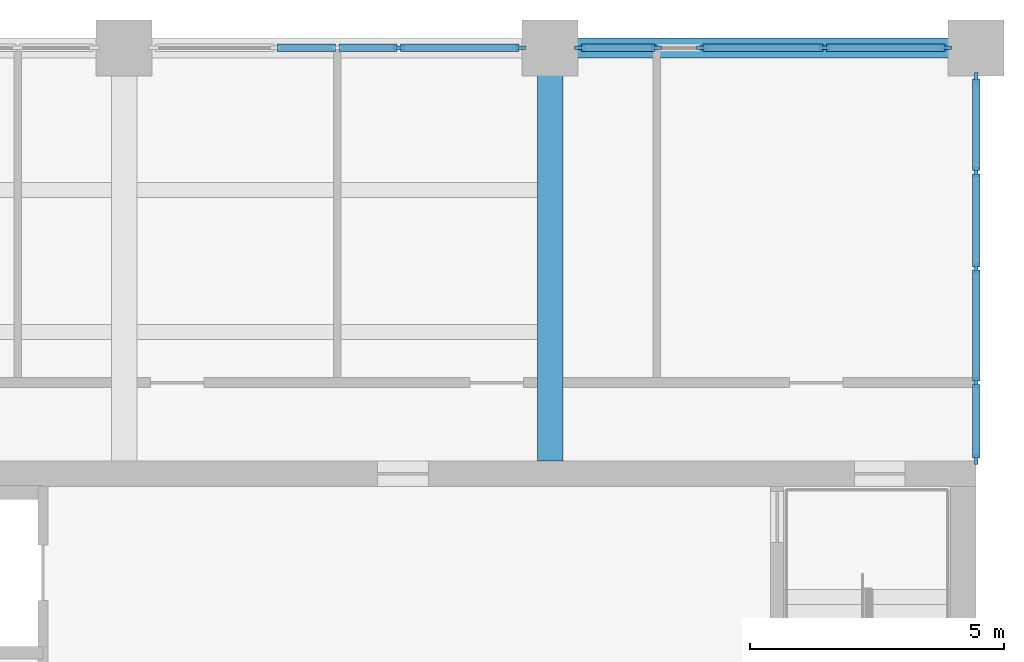
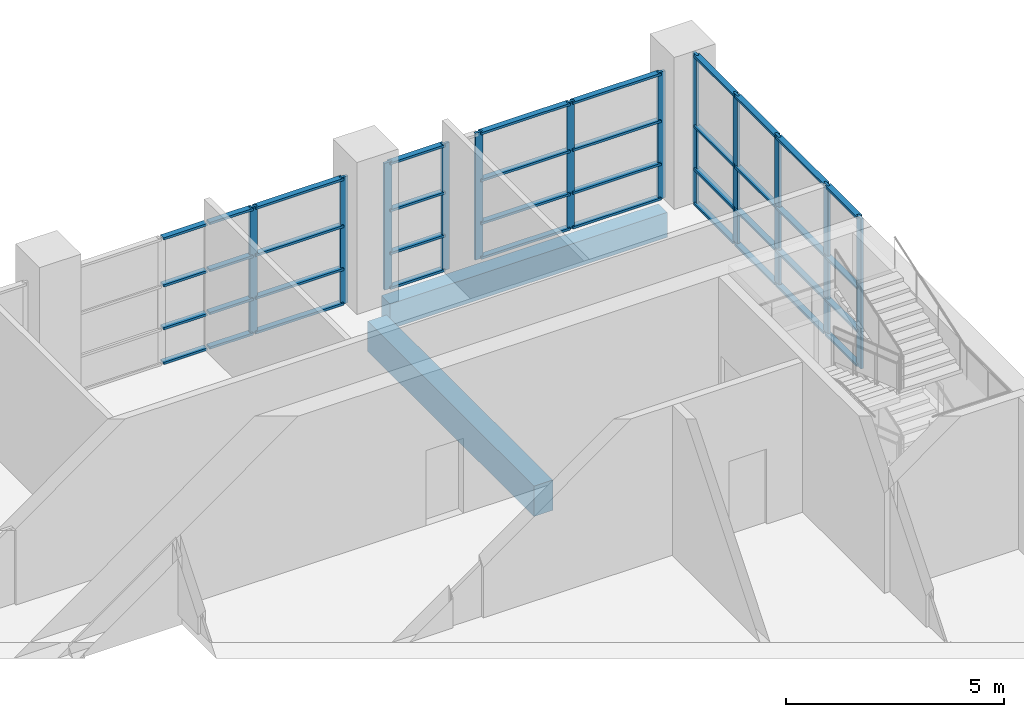
# One storey, part 12 of 64: 52 members, 2 beams, 3 elements without a shape of their own.
"""IFC4 building model written with IfcOpenShell, lengths in metres."""

from ifc_helpers import new_model, si_unit, direction, frame, origin, origin_2d, place, context, subcontext, project, spatial, rectangle, extrude, material, layer, layer_set, material_profile, profile_set, type_object, element, aggregate, save


model = new_model("IFC4")

# Units and contexts
model_context = context("Model", 3, precision=1e-05, world=origin(), true_north=direction((0.0, 1.0)))
body_context = subcontext(model_context, "Body", "Model", "MODEL_VIEW")
ifc_project = project(units=[si_unit("LENGTHUNIT", "METRE"), si_unit("AREAUNIT", "SQUARE_METRE"), si_unit("VOLUMEUNIT", "CUBIC_METRE"), si_unit("PLANEANGLEUNIT", "RADIAN"), si_unit("MASSUNIT", "GRAM", prefix="KILO")], contexts=[model_context])

# Site, building, storey
site_placement = place(None, origin())
site = spatial("IfcSite", under=ifc_project, at=site_placement, CompositionType="ELEMENT")
building_placement = place(site_placement, origin())
building = spatial("IfcBuilding", under=site, at=building_placement, Name="Rulbaag Community and Learning Centre", CompositionType="ELEMENT")
storey_placement = place(building_placement, frame((0.0, 0.0, 5.39990234375)))
storey = spatial("IfcBuildingStorey", under=building, at=storey_placement, Name="L01", CompositionType="ELEMENT", Elevation=5.39990234375)

# Beams
ifc_material_1 = material(Name="Concrete M40", Category="concrete")
ifc_material_profile_1 = material_profile(ifc_material_1, rectangle(XDim=0.39990234375, YDim=0.699951171875, at=origin_2d()), Name="RB400x700")
ifc_profile_set_1 = profile_set([ifc_material_profile_1], Name="Concrete M40")
beam_type_1 = type_object("IfcBeamType", Name="B17 Tower edge beam, lower zone 400x700 Concrete M40", PredefinedType="BEAM", material=ifc_profile_set_1)
beam_1_placement = place(storey_placement, frame((160.1298828125, 117.60009765625, -0.64990234375), z_axis=(1.0, 0.0, 0.0), x_axis=(0.0, 1.0, 0.0)))
element("IfcBeam", 1, at=beam_1_placement, inside=storey, type_object=beam_type_1, Name="BM-L01-20O-21O", PredefinedType="BEAM", context=body_context, shape_type="SweptSolid", body=[
    extrude(rectangle(XDim=0.39990234375, YDim=0.699951171875, at=origin_2d()), origin(), (0.0, 0.0, 1.0), 7.340087890625),
])
ifc_material_profile_2 = material_profile(ifc_material_1, rectangle(XDim=0.5, YDim=0.85009765625, at=origin_2d()), Name="RB500x850")
ifc_profile_set_2 = profile_set([ifc_material_profile_2], Name="Concrete M40")
beam_type_2 = type_object("IfcBeamType", Name="B18 Core-framing beam, lower zone 500x850 Concrete M40", PredefinedType="BEAM", material=ifc_profile_set_2)
beam_2_placement = place(storey_placement, frame((159.60009765625, 109.449951171875, -0.724853515625), z_axis=(0.0, 1.0, 0.0), x_axis=(-1.0, 0.0, 0.0)))
element("IfcBeam", 2, at=beam_2_placement, inside=storey, type_object=beam_type_2, Name="BM-L01-20N-20O", PredefinedType="BEAM", context=body_context, shape_type="SweptSolid", body=[
    extrude(rectangle(XDim=0.5, YDim=0.85009765625, at=origin_2d()), origin(), (0.0, 0.0, 1.0), 7.6201171875),
])

# Curtain wall, members
ifc_material_2 = material(Name="Aluminium", Category="aluminium")
ifc_layer = layer(ifc_material_2, 0.14990234375)
ifc_layer_set = layer_set([ifc_layer], Name="CW-T")
curtain_wall_type = type_object("IfcCurtainWallType", Name="CW-T", PredefinedType="USERDEFINED", material=ifc_layer_set)
curtain_wall_1_placement = place(storey_placement, origin())
curtain_wall_1 = element("IfcCurtainWall", 3, at=curtain_wall_1_placement, inside=storey, type_object=curtain_wall_type, Name="GT-L01-02", ObjectType="UNITISED CURTAIN WALL", PredefinedType="USERDEFINED")
ifc_material_3 = material(Name="Aluminium mullion", Category="aluminium")
ifc_material_profile_3 = material_profile(ifc_material_3, rectangle(XDim=0.06494140625, YDim=0.199951171875, at=origin_2d()), Name="AL 65x200")
ifc_profile_set_3 = profile_set([ifc_material_profile_3], Name="Aluminium mullion")
member_type_1 = type_object("IfcMemberType", Name="CW-T-MUL", PredefinedType="MULLION", material=ifc_profile_set_3)
member_1_placement = place(storey_placement, frame((156.61669921875, 117.60009765625, 0.0), z_axis=(0.0, 0.0, 1.0), x_axis=(0.0, 1.0, 0.0)))
member_1 = element("IfcMember", 4, at=member_1_placement, type_object=member_type_1, Name="GT mullion 4", PredefinedType="MULLION", context=body_context, shape_type="SweptSolid", body=[
    extrude(rectangle(XDim=0.06494140625, YDim=0.199951171875, at=origin_2d()), origin(), (0.0, 0.0, 1.0), 3.550048828125),
])
member_2_placement = place(storey_placement, frame((159.017578125, 117.60009765625, 0.0), z_axis=(0.0, 0.0, 1.0), x_axis=(0.0, 1.0, 0.0)))
member_2 = element("IfcMember", 5, at=member_2_placement, type_object=member_type_1, Name="GT mullion 5", PredefinedType="MULLION", context=body_context, shape_type="SweptSolid", body=[
    extrude(rectangle(XDim=0.06494140625, YDim=0.199951171875, at=origin_2d()), origin(), (0.0, 0.0, 1.0), 3.550048828125),
])

curtain_wall_2_placement = place(storey_placement, origin())
curtain_wall_2 = element("IfcCurtainWall", 6, at=curtain_wall_2_placement, inside=storey, type_object=curtain_wall_type, Name="GT-L01-03", ObjectType="UNITISED CURTAIN WALL", PredefinedType="USERDEFINED")
member_3_placement = place(storey_placement, frame((160.1826171875, 117.60009765625, 0.0), z_axis=(0.0, 0.0, 1.0), x_axis=(0.0, 1.0, 0.0)))
member_3 = element("IfcMember", 7, at=member_3_placement, type_object=member_type_1, Name="GT mullion 1", PredefinedType="MULLION", context=body_context, shape_type="SweptSolid", body=[
    extrude(rectangle(XDim=0.06494140625, YDim=0.199951171875, at=origin_2d()), origin(), (0.0, 0.0, 1.0), 3.550048828125),
])
member_4_placement = place(storey_placement, frame((161.699951171875, 117.60009765625, 0.0), z_axis=(0.0, 0.0, 1.0), x_axis=(0.0, 1.0, 0.0)))
member_4 = element("IfcMember", 8, at=member_4_placement, type_object=member_type_1, Name="GT mullion 2", PredefinedType="MULLION", context=body_context, shape_type="SweptSolid", body=[
    extrude(rectangle(XDim=0.06494140625, YDim=0.199951171875, at=origin_2d()), origin(), (0.0, 0.0, 1.0), 3.550048828125),
])
member_5_placement = place(storey_placement, frame((162.583251953125, 117.60009765625, 0.0), z_axis=(0.0, 0.0, 1.0), x_axis=(0.0, 1.0, 0.0)))
member_5 = element("IfcMember", 9, at=member_5_placement, type_object=member_type_1, Name="GT mullion 3", PredefinedType="MULLION", context=body_context, shape_type="SweptSolid", body=[
    extrude(rectangle(XDim=0.06494140625, YDim=0.199951171875, at=origin_2d()), origin(), (0.0, 0.0, 1.0), 3.550048828125),
])
member_6_placement = place(storey_placement, frame((165.0166015625, 117.60009765625, 0.0), z_axis=(0.0, 0.0, 1.0), x_axis=(0.0, 1.0, 0.0)))
member_6 = element("IfcMember", 10, at=member_6_placement, type_object=member_type_1, Name="GT mullion 4", PredefinedType="MULLION", context=body_context, shape_type="SweptSolid", body=[
    extrude(rectangle(XDim=0.06494140625, YDim=0.199951171875, at=origin_2d()), origin(), (0.0, 0.0, 1.0), 3.550048828125),
])
member_7_placement = place(storey_placement, frame((167.41748046875, 117.60009765625, 0.0), z_axis=(0.0, 0.0, 1.0), x_axis=(0.0, 1.0, 0.0)))
member_7 = element("IfcMember", 11, at=member_7_placement, type_object=member_type_1, Name="GT mullion 5", PredefinedType="MULLION", context=body_context, shape_type="SweptSolid", body=[
    extrude(rectangle(XDim=0.06494140625, YDim=0.199951171875, at=origin_2d()), origin(), (0.0, 0.0, 1.0), 3.550048828125),
])

curtain_wall_3_placement = place(storey_placement, origin())
curtain_wall_3 = element("IfcCurtainWall", 12, at=curtain_wall_3_placement, inside=storey, type_object=curtain_wall_type, Name="GT-L01-06", ObjectType="UNITISED CURTAIN WALL", PredefinedType="USERDEFINED")
member_8_placement = place(storey_placement, frame((168.0, 109.482421875, 0.0), z_axis=(0.0, 0.0, 1.0), x_axis=(-1.0, 0.0, 0.0)))
member_8 = element("IfcMember", 13, at=member_8_placement, type_object=member_type_1, Name="GT mullion 1", PredefinedType="MULLION", context=body_context, shape_type="SweptSolid", body=[
    extrude(rectangle(XDim=0.06494140625, YDim=0.199951171875, at=origin_2d()), origin(), (0.0, 0.0, 1.0), 4.2001953125),
])
member_9_placement = place(storey_placement, frame((168.0, 111.0, 0.0), z_axis=(0.0, 0.0, 1.0), x_axis=(-1.0, 0.0, 0.0)))
member_9 = element("IfcMember", 14, at=member_9_placement, type_object=member_type_1, Name="GT mullion 2", PredefinedType="MULLION", context=body_context, shape_type="SweptSolid", body=[
    extrude(rectangle(XDim=0.06494140625, YDim=0.199951171875, at=origin_2d()), origin(), (0.0, 0.0, 1.0), 4.2001953125),
])
member_10_placement = place(storey_placement, frame((168.0, 113.25, 0.0), z_axis=(0.0, 0.0, 1.0), x_axis=(-1.0, 0.0, 0.0)))
member_10 = element("IfcMember", 15, at=member_10_placement, type_object=member_type_1, Name="GT mullion 3", PredefinedType="MULLION", context=body_context, shape_type="SweptSolid", body=[
    extrude(rectangle(XDim=0.06494140625, YDim=0.199951171875, at=origin_2d()), origin(), (0.0, 0.0, 1.0), 4.2001953125),
])
member_11_placement = place(storey_placement, frame((168.0, 115.14990234375, 0.0), z_axis=(0.0, 0.0, 1.0), x_axis=(-1.0, 0.0, 0.0)))
member_11 = element("IfcMember", 16, at=member_11_placement, type_object=member_type_1, Name="GT mullion 4", PredefinedType="MULLION", context=body_context, shape_type="SweptSolid", body=[
    extrude(rectangle(XDim=0.06494140625, YDim=0.199951171875, at=origin_2d()), origin(), (0.0, 0.0, 1.0), 4.2001953125),
])
member_12_placement = place(storey_placement, frame((168.0, 117.017578125, 0.0), z_axis=(0.0, 0.0, 1.0), x_axis=(-1.0, 0.0, 0.0)))
member_12 = element("IfcMember", 17, at=member_12_placement, type_object=member_type_1, Name="GT mullion 5", PredefinedType="MULLION", context=body_context, shape_type="SweptSolid", body=[
    extrude(rectangle(XDim=0.06494140625, YDim=0.199951171875, at=origin_2d()), origin(), (0.0, 0.0, 1.0), 4.2001953125),
])

# Member
ifc_material_4 = material(Name="Aluminium transom", Category="aluminium")
ifc_material_profile_4 = material_profile(ifc_material_4, rectangle(XDim=0.14990234375, YDim=0.06494140625, at=origin_2d()), Name="AL 65x150 T")
ifc_profile_set_4 = profile_set([ifc_material_profile_4], Name="Aluminium transom")
member_type_2 = type_object("IfcMemberType", Name="CW-T-TRN", PredefinedType="USERDEFINED", material=ifc_profile_set_4)
member_13_placement = place(storey_placement, frame((154.2158203125, 117.60009765625, 0.03271484375), z_axis=(1.0, 0.0, 0.0), x_axis=(0.0, 1.0, 0.0)))
member_13 = element("IfcMember", 18, at=member_13_placement, type_object=member_type_2, Name="GT transom 2.1", ObjectType="TRANSOM", PredefinedType="USERDEFINED", context=body_context, shape_type="SweptSolid", body=[
    extrude(rectangle(XDim=0.14990234375, YDim=0.06494140625, at=origin_2d()), origin(), (0.0, 0.0, 1.0), 1.151611328125),
])

member_14_placement = place(storey_placement, frame((154.2158203125, 117.60009765625, 1.0), z_axis=(1.0, 0.0, 0.0), x_axis=(0.0, 1.0, 0.0)))
member_14 = element("IfcMember", 19, at=member_14_placement, type_object=member_type_2, Name="GT transom 2.2", ObjectType="TRANSOM", PredefinedType="USERDEFINED", context=body_context, shape_type="SweptSolid", body=[
    extrude(rectangle(XDim=0.14990234375, YDim=0.06494140625, at=origin_2d()), origin(), (0.0, 0.0, 1.0), 1.151611328125),
])

member_15_placement = place(storey_placement, frame((154.2158203125, 117.60009765625, 2.2001953125), z_axis=(1.0, 0.0, 0.0), x_axis=(0.0, 1.0, 0.0)))
member_15 = element("IfcMember", 20, at=member_15_placement, type_object=member_type_2, Name="GT transom 2.3", ObjectType="TRANSOM", PredefinedType="USERDEFINED", context=body_context, shape_type="SweptSolid", body=[
    extrude(rectangle(XDim=0.14990234375, YDim=0.06494140625, at=origin_2d()), origin(), (0.0, 0.0, 1.0), 1.151611328125),
])

member_16_placement = place(storey_placement, frame((154.2158203125, 117.60009765625, 3.517578125), z_axis=(1.0, 0.0, 0.0), x_axis=(0.0, 1.0, 0.0)))
member_16 = element("IfcMember", 21, at=member_16_placement, type_object=member_type_2, Name="GT transom 2.4", ObjectType="TRANSOM", PredefinedType="USERDEFINED", context=body_context, shape_type="SweptSolid", body=[
    extrude(rectangle(XDim=0.14990234375, YDim=0.06494140625, at=origin_2d()), origin(), (0.0, 0.0, 1.0), 1.151611328125),
])

member_17_placement = place(storey_placement, frame((155.4326171875, 117.60009765625, 0.03271484375), z_axis=(1.0, 0.0, 0.0), x_axis=(0.0, 1.0, 0.0)))
member_17 = element("IfcMember", 22, at=member_17_placement, type_object=member_type_2, Name="GT transom 3.1", ObjectType="TRANSOM", PredefinedType="USERDEFINED", context=body_context, shape_type="SweptSolid", body=[
    extrude(rectangle(XDim=0.14990234375, YDim=0.06494140625, at=origin_2d()), origin(), (0.0, 0.0, 1.0), 1.151611328125),
])

member_18_placement = place(storey_placement, frame((155.4326171875, 117.60009765625, 1.0), z_axis=(1.0, 0.0, 0.0), x_axis=(0.0, 1.0, 0.0)))
member_18 = element("IfcMember", 23, at=member_18_placement, type_object=member_type_2, Name="GT transom 3.2", ObjectType="TRANSOM", PredefinedType="USERDEFINED", context=body_context, shape_type="SweptSolid", body=[
    extrude(rectangle(XDim=0.14990234375, YDim=0.06494140625, at=origin_2d()), origin(), (0.0, 0.0, 1.0), 1.151611328125),
])

member_19_placement = place(storey_placement, frame((155.4326171875, 117.60009765625, 2.2001953125), z_axis=(1.0, 0.0, 0.0), x_axis=(0.0, 1.0, 0.0)))
member_19 = element("IfcMember", 24, at=member_19_placement, type_object=member_type_2, Name="GT transom 3.3", ObjectType="TRANSOM", PredefinedType="USERDEFINED", context=body_context, shape_type="SweptSolid", body=[
    extrude(rectangle(XDim=0.14990234375, YDim=0.06494140625, at=origin_2d()), origin(), (0.0, 0.0, 1.0), 1.151611328125),
])

member_20_placement = place(storey_placement, frame((155.4326171875, 117.60009765625, 3.517578125), z_axis=(1.0, 0.0, 0.0), x_axis=(0.0, 1.0, 0.0)))
member_20 = element("IfcMember", 25, at=member_20_placement, type_object=member_type_2, Name="GT transom 3.4", ObjectType="TRANSOM", PredefinedType="USERDEFINED", context=body_context, shape_type="SweptSolid", body=[
    extrude(rectangle(XDim=0.14990234375, YDim=0.06494140625, at=origin_2d()), origin(), (0.0, 0.0, 1.0), 1.151611328125),
])

member_21_placement = place(storey_placement, frame((156.649169921875, 117.60009765625, 0.03271484375), z_axis=(1.0, 0.0, 0.0), x_axis=(0.0, 1.0, 0.0)))
member_21 = element("IfcMember", 26, at=member_21_placement, type_object=member_type_2, Name="GT transom 4.1", ObjectType="TRANSOM", PredefinedType="USERDEFINED", context=body_context, shape_type="SweptSolid", body=[
    extrude(rectangle(XDim=0.14990234375, YDim=0.06494140625, at=origin_2d()), origin(), (0.0, 0.0, 1.0), 2.3359375),
])

member_22_placement = place(storey_placement, frame((156.649169921875, 117.60009765625, 1.0), z_axis=(1.0, 0.0, 0.0), x_axis=(0.0, 1.0, 0.0)))
member_22 = element("IfcMember", 27, at=member_22_placement, type_object=member_type_2, Name="GT transom 4.2", ObjectType="TRANSOM", PredefinedType="USERDEFINED", context=body_context, shape_type="SweptSolid", body=[
    extrude(rectangle(XDim=0.14990234375, YDim=0.06494140625, at=origin_2d()), origin(), (0.0, 0.0, 1.0), 2.3359375),
])

member_23_placement = place(storey_placement, frame((156.649169921875, 117.60009765625, 2.2001953125), z_axis=(1.0, 0.0, 0.0), x_axis=(0.0, 1.0, 0.0)))
member_23 = element("IfcMember", 28, at=member_23_placement, type_object=member_type_2, Name="GT transom 4.3", ObjectType="TRANSOM", PredefinedType="USERDEFINED", context=body_context, shape_type="SweptSolid", body=[
    extrude(rectangle(XDim=0.14990234375, YDim=0.06494140625, at=origin_2d()), origin(), (0.0, 0.0, 1.0), 2.3359375),
])

member_24_placement = place(storey_placement, frame((156.649169921875, 117.60009765625, 3.517578125), z_axis=(1.0, 0.0, 0.0), x_axis=(0.0, 1.0, 0.0)))
member_24 = element("IfcMember", 29, at=member_24_placement, type_object=member_type_2, Name="GT transom 4.4", ObjectType="TRANSOM", PredefinedType="USERDEFINED", context=body_context, shape_type="SweptSolid", body=[
    extrude(rectangle(XDim=0.14990234375, YDim=0.06494140625, at=origin_2d()), origin(), (0.0, 0.0, 1.0), 2.3359375),
])

aggregate(curtain_wall_1, [member_1, member_2, member_13, member_14, member_15, member_16, member_17, member_18, member_19, member_20, member_21, member_22, member_23, member_24])

member_25_placement = place(storey_placement, frame((160.215087890625, 117.60009765625, 0.03271484375), z_axis=(1.0, 0.0, 0.0), x_axis=(0.0, 1.0, 0.0)))
member_25 = element("IfcMember", 30, at=member_25_placement, type_object=member_type_2, Name="GT transom 1.1", ObjectType="TRANSOM", PredefinedType="USERDEFINED", context=body_context, shape_type="SweptSolid", body=[
    extrude(rectangle(XDim=0.14990234375, YDim=0.06494140625, at=origin_2d()), origin(), (0.0, 0.0, 1.0), 1.452392578125),
])

member_26_placement = place(storey_placement, frame((160.215087890625, 117.60009765625, 1.0), z_axis=(1.0, 0.0, 0.0), x_axis=(0.0, 1.0, 0.0)))
member_26 = element("IfcMember", 31, at=member_26_placement, type_object=member_type_2, Name="GT transom 1.2", ObjectType="TRANSOM", PredefinedType="USERDEFINED", context=body_context, shape_type="SweptSolid", body=[
    extrude(rectangle(XDim=0.14990234375, YDim=0.06494140625, at=origin_2d()), origin(), (0.0, 0.0, 1.0), 1.452392578125),
])

member_27_placement = place(storey_placement, frame((160.215087890625, 117.60009765625, 2.2001953125), z_axis=(1.0, 0.0, 0.0), x_axis=(0.0, 1.0, 0.0)))
member_27 = element("IfcMember", 32, at=member_27_placement, type_object=member_type_2, Name="GT transom 1.3", ObjectType="TRANSOM", PredefinedType="USERDEFINED", context=body_context, shape_type="SweptSolid", body=[
    extrude(rectangle(XDim=0.14990234375, YDim=0.06494140625, at=origin_2d()), origin(), (0.0, 0.0, 1.0), 1.452392578125),
])

member_28_placement = place(storey_placement, frame((160.215087890625, 117.60009765625, 3.517578125), z_axis=(1.0, 0.0, 0.0), x_axis=(0.0, 1.0, 0.0)))
member_28 = element("IfcMember", 33, at=member_28_placement, type_object=member_type_2, Name="GT transom 1.4", ObjectType="TRANSOM", PredefinedType="USERDEFINED", context=body_context, shape_type="SweptSolid", body=[
    extrude(rectangle(XDim=0.14990234375, YDim=0.06494140625, at=origin_2d()), origin(), (0.0, 0.0, 1.0), 1.452392578125),
])

member_29_placement = place(storey_placement, frame((162.61572265625, 117.60009765625, 0.03271484375), z_axis=(1.0, 0.0, 0.0), x_axis=(0.0, 1.0, 0.0)))
member_29 = element("IfcMember", 34, at=member_29_placement, type_object=member_type_2, Name="GT transom 3.1", ObjectType="TRANSOM", PredefinedType="USERDEFINED", context=body_context, shape_type="SweptSolid", body=[
    extrude(rectangle(XDim=0.14990234375, YDim=0.06494140625, at=origin_2d()), origin(), (0.0, 0.0, 1.0), 2.368408203125),
])

member_30_placement = place(storey_placement, frame((162.61572265625, 117.60009765625, 1.0), z_axis=(1.0, 0.0, 0.0), x_axis=(0.0, 1.0, 0.0)))
member_30 = element("IfcMember", 35, at=member_30_placement, type_object=member_type_2, Name="GT transom 3.2", ObjectType="TRANSOM", PredefinedType="USERDEFINED", context=body_context, shape_type="SweptSolid", body=[
    extrude(rectangle(XDim=0.14990234375, YDim=0.06494140625, at=origin_2d()), origin(), (0.0, 0.0, 1.0), 2.368408203125),
])

member_31_placement = place(storey_placement, frame((162.61572265625, 117.60009765625, 2.2001953125), z_axis=(1.0, 0.0, 0.0), x_axis=(0.0, 1.0, 0.0)))
member_31 = element("IfcMember", 36, at=member_31_placement, type_object=member_type_2, Name="GT transom 3.3", ObjectType="TRANSOM", PredefinedType="USERDEFINED", context=body_context, shape_type="SweptSolid", body=[
    extrude(rectangle(XDim=0.14990234375, YDim=0.06494140625, at=origin_2d()), origin(), (0.0, 0.0, 1.0), 2.368408203125),
])

member_32_placement = place(storey_placement, frame((162.61572265625, 117.60009765625, 3.517578125), z_axis=(1.0, 0.0, 0.0), x_axis=(0.0, 1.0, 0.0)))
member_32 = element("IfcMember", 37, at=member_32_placement, type_object=member_type_2, Name="GT transom 3.4", ObjectType="TRANSOM", PredefinedType="USERDEFINED", context=body_context, shape_type="SweptSolid", body=[
    extrude(rectangle(XDim=0.14990234375, YDim=0.06494140625, at=origin_2d()), origin(), (0.0, 0.0, 1.0), 2.368408203125),
])

member_33_placement = place(storey_placement, frame((165.049072265625, 117.60009765625, 0.03271484375), z_axis=(1.0, 0.0, 0.0), x_axis=(0.0, 1.0, 0.0)))
member_33 = element("IfcMember", 38, at=member_33_placement, type_object=member_type_2, Name="GT transom 4.1", ObjectType="TRANSOM", PredefinedType="USERDEFINED", context=body_context, shape_type="SweptSolid", body=[
    extrude(rectangle(XDim=0.14990234375, YDim=0.06494140625, at=origin_2d()), origin(), (0.0, 0.0, 1.0), 2.3359375),
])

member_34_placement = place(storey_placement, frame((165.049072265625, 117.60009765625, 1.0), z_axis=(1.0, 0.0, 0.0), x_axis=(0.0, 1.0, 0.0)))
member_34 = element("IfcMember", 39, at=member_34_placement, type_object=member_type_2, Name="GT transom 4.2", ObjectType="TRANSOM", PredefinedType="USERDEFINED", context=body_context, shape_type="SweptSolid", body=[
    extrude(rectangle(XDim=0.14990234375, YDim=0.06494140625, at=origin_2d()), origin(), (0.0, 0.0, 1.0), 2.3359375),
])

member_35_placement = place(storey_placement, frame((165.049072265625, 117.60009765625, 2.2001953125), z_axis=(1.0, 0.0, 0.0), x_axis=(0.0, 1.0, 0.0)))
member_35 = element("IfcMember", 40, at=member_35_placement, type_object=member_type_2, Name="GT transom 4.3", ObjectType="TRANSOM", PredefinedType="USERDEFINED", context=body_context, shape_type="SweptSolid", body=[
    extrude(rectangle(XDim=0.14990234375, YDim=0.06494140625, at=origin_2d()), origin(), (0.0, 0.0, 1.0), 2.3359375),
])

member_36_placement = place(storey_placement, frame((165.049072265625, 117.60009765625, 3.517578125), z_axis=(1.0, 0.0, 0.0), x_axis=(0.0, 1.0, 0.0)))
member_36 = element("IfcMember", 41, at=member_36_placement, type_object=member_type_2, Name="GT transom 4.4", ObjectType="TRANSOM", PredefinedType="USERDEFINED", context=body_context, shape_type="SweptSolid", body=[
    extrude(rectangle(XDim=0.14990234375, YDim=0.06494140625, at=origin_2d()), origin(), (0.0, 0.0, 1.0), 2.3359375),
])

aggregate(curtain_wall_2, [member_3, member_4, member_5, member_6, member_7, member_25, member_26, member_27, member_28, member_29, member_30, member_31, member_32, member_33, member_34, member_35, member_36])

member_37_placement = place(storey_placement, frame((168.0, 109.514892578125, 0.03271484375), z_axis=(0.0, 1.0, 0.0), x_axis=(-1.0, 0.0, 0.0)))
member_37 = element("IfcMember", 42, at=member_37_placement, type_object=member_type_2, Name="GT transom 1.1", ObjectType="TRANSOM", PredefinedType="USERDEFINED", context=body_context, shape_type="SweptSolid", body=[
    extrude(rectangle(XDim=0.14990234375, YDim=0.06494140625, at=origin_2d()), origin(), (0.0, 0.0, 1.0), 1.45263671875),
])

member_38_placement = place(storey_placement, frame((168.0, 109.514892578125, 1.0), z_axis=(0.0, 1.0, 0.0), x_axis=(-1.0, 0.0, 0.0)))
member_38 = element("IfcMember", 43, at=member_38_placement, type_object=member_type_2, Name="GT transom 1.2", ObjectType="TRANSOM", PredefinedType="USERDEFINED", context=body_context, shape_type="SweptSolid", body=[
    extrude(rectangle(XDim=0.14990234375, YDim=0.06494140625, at=origin_2d()), origin(), (0.0, 0.0, 1.0), 1.45263671875),
])

member_39_placement = place(storey_placement, frame((168.0, 109.514892578125, 2.2001953125), z_axis=(0.0, 1.0, 0.0), x_axis=(-1.0, 0.0, 0.0)))
member_39 = element("IfcMember", 44, at=member_39_placement, type_object=member_type_2, Name="GT transom 1.3", ObjectType="TRANSOM", PredefinedType="USERDEFINED", context=body_context, shape_type="SweptSolid", body=[
    extrude(rectangle(XDim=0.14990234375, YDim=0.06494140625, at=origin_2d()), origin(), (0.0, 0.0, 1.0), 1.45263671875),
])

member_40_placement = place(storey_placement, frame((168.0, 109.514892578125, 4.16748046875), z_axis=(0.0, 1.0, 0.0), x_axis=(-1.0, 0.0, 0.0)))
member_40 = element("IfcMember", 45, at=member_40_placement, type_object=member_type_2, Name="GT transom 1.4", ObjectType="TRANSOM", PredefinedType="USERDEFINED", context=body_context, shape_type="SweptSolid", body=[
    extrude(rectangle(XDim=0.14990234375, YDim=0.06494140625, at=origin_2d()), origin(), (0.0, 0.0, 1.0), 1.45263671875),
])

member_41_placement = place(storey_placement, frame((168.0, 111.032470703125, 0.03271484375), z_axis=(0.0, 1.0, 0.0), x_axis=(-1.0, 0.0, 0.0)))
member_41 = element("IfcMember", 46, at=member_41_placement, type_object=member_type_2, Name="GT transom 2.1", ObjectType="TRANSOM", PredefinedType="USERDEFINED", context=body_context, shape_type="SweptSolid", body=[
    extrude(rectangle(XDim=0.14990234375, YDim=0.06494140625, at=origin_2d()), origin(), (0.0, 0.0, 1.0), 2.18505859375),
])

member_42_placement = place(storey_placement, frame((168.0, 111.032470703125, 1.0), z_axis=(0.0, 1.0, 0.0), x_axis=(-1.0, 0.0, 0.0)))
member_42 = element("IfcMember", 47, at=member_42_placement, type_object=member_type_2, Name="GT transom 2.2", ObjectType="TRANSOM", PredefinedType="USERDEFINED", context=body_context, shape_type="SweptSolid", body=[
    extrude(rectangle(XDim=0.14990234375, YDim=0.06494140625, at=origin_2d()), origin(), (0.0, 0.0, 1.0), 2.18505859375),
])

member_43_placement = place(storey_placement, frame((168.0, 111.032470703125, 2.2001953125), z_axis=(0.0, 1.0, 0.0), x_axis=(-1.0, 0.0, 0.0)))
member_43 = element("IfcMember", 48, at=member_43_placement, type_object=member_type_2, Name="GT transom 2.3", ObjectType="TRANSOM", PredefinedType="USERDEFINED", context=body_context, shape_type="SweptSolid", body=[
    extrude(rectangle(XDim=0.14990234375, YDim=0.06494140625, at=origin_2d()), origin(), (0.0, 0.0, 1.0), 2.18505859375),
])

member_44_placement = place(storey_placement, frame((168.0, 111.032470703125, 4.16748046875), z_axis=(0.0, 1.0, 0.0), x_axis=(-1.0, 0.0, 0.0)))
member_44 = element("IfcMember", 49, at=member_44_placement, type_object=member_type_2, Name="GT transom 2.4", ObjectType="TRANSOM", PredefinedType="USERDEFINED", context=body_context, shape_type="SweptSolid", body=[
    extrude(rectangle(XDim=0.14990234375, YDim=0.06494140625, at=origin_2d()), origin(), (0.0, 0.0, 1.0), 2.18505859375),
])

member_45_placement = place(storey_placement, frame((168.0, 113.282470703125, 0.03271484375), z_axis=(0.0, 1.0, 0.0), x_axis=(-1.0, 0.0, 0.0)))
member_45 = element("IfcMember", 50, at=member_45_placement, type_object=member_type_2, Name="GT transom 3.1", ObjectType="TRANSOM", PredefinedType="USERDEFINED", context=body_context, shape_type="SweptSolid", body=[
    extrude(rectangle(XDim=0.14990234375, YDim=0.06494140625, at=origin_2d()), origin(), (0.0, 0.0, 1.0), 1.8349609375),
])

member_46_placement = place(storey_placement, frame((168.0, 113.282470703125, 1.0), z_axis=(0.0, 1.0, 0.0), x_axis=(-1.0, 0.0, 0.0)))
member_46 = element("IfcMember", 51, at=member_46_placement, type_object=member_type_2, Name="GT transom 3.2", ObjectType="TRANSOM", PredefinedType="USERDEFINED", context=body_context, shape_type="SweptSolid", body=[
    extrude(rectangle(XDim=0.14990234375, YDim=0.06494140625, at=origin_2d()), origin(), (0.0, 0.0, 1.0), 1.8349609375),
])

member_47_placement = place(storey_placement, frame((168.0, 113.282470703125, 2.2001953125), z_axis=(0.0, 1.0, 0.0), x_axis=(-1.0, 0.0, 0.0)))
member_47 = element("IfcMember", 52, at=member_47_placement, type_object=member_type_2, Name="GT transom 3.3", ObjectType="TRANSOM", PredefinedType="USERDEFINED", context=body_context, shape_type="SweptSolid", body=[
    extrude(rectangle(XDim=0.14990234375, YDim=0.06494140625, at=origin_2d()), origin(), (0.0, 0.0, 1.0), 1.8349609375),
])

member_48_placement = place(storey_placement, frame((168.0, 113.282470703125, 4.16748046875), z_axis=(0.0, 1.0, 0.0), x_axis=(-1.0, 0.0, 0.0)))
member_48 = element("IfcMember", 53, at=member_48_placement, type_object=member_type_2, Name="GT transom 3.4", ObjectType="TRANSOM", PredefinedType="USERDEFINED", context=body_context, shape_type="SweptSolid", body=[
    extrude(rectangle(XDim=0.14990234375, YDim=0.06494140625, at=origin_2d()), origin(), (0.0, 0.0, 1.0), 1.8349609375),
])

member_49_placement = place(storey_placement, frame((168.0, 115.1826171875, 0.03271484375), z_axis=(0.0, 1.0, 0.0), x_axis=(-1.0, 0.0, 0.0)))
member_49 = element("IfcMember", 54, at=member_49_placement, type_object=member_type_2, Name="GT transom 4.1", ObjectType="TRANSOM", PredefinedType="USERDEFINED", context=body_context, shape_type="SweptSolid", body=[
    extrude(rectangle(XDim=0.14990234375, YDim=0.06494140625, at=origin_2d()), origin(), (0.0, 0.0, 1.0), 1.802490234375),
])

member_50_placement = place(storey_placement, frame((168.0, 115.1826171875, 1.0), z_axis=(0.0, 1.0, 0.0), x_axis=(-1.0, 0.0, 0.0)))
member_50 = element("IfcMember", 55, at=member_50_placement, type_object=member_type_2, Name="GT transom 4.2", ObjectType="TRANSOM", PredefinedType="USERDEFINED", context=body_context, shape_type="SweptSolid", body=[
    extrude(rectangle(XDim=0.14990234375, YDim=0.06494140625, at=origin_2d()), origin(), (0.0, 0.0, 1.0), 1.802490234375),
])

member_51_placement = place(storey_placement, frame((168.0, 115.1826171875, 2.2001953125), z_axis=(0.0, 1.0, 0.0), x_axis=(-1.0, 0.0, 0.0)))
member_51 = element("IfcMember", 56, at=member_51_placement, type_object=member_type_2, Name="GT transom 4.3", ObjectType="TRANSOM", PredefinedType="USERDEFINED", context=body_context, shape_type="SweptSolid", body=[
    extrude(rectangle(XDim=0.14990234375, YDim=0.06494140625, at=origin_2d()), origin(), (0.0, 0.0, 1.0), 1.802490234375),
])

member_52_placement = place(storey_placement, frame((168.0, 115.1826171875, 4.16748046875), z_axis=(0.0, 1.0, 0.0), x_axis=(-1.0, 0.0, 0.0)))
member_52 = element("IfcMember", 57, at=member_52_placement, type_object=member_type_2, Name="GT transom 4.4", ObjectType="TRANSOM", PredefinedType="USERDEFINED", context=body_context, shape_type="SweptSolid", body=[
    extrude(rectangle(XDim=0.14990234375, YDim=0.06494140625, at=origin_2d()), origin(), (0.0, 0.0, 1.0), 1.802490234375),
])

aggregate(curtain_wall_3, [member_8, member_9, member_10, member_11, member_12, member_37, member_38, member_39, member_40, member_41, member_42, member_43, member_44, member_45, member_46, member_47, member_48, member_49, member_50, member_51, member_52])

save(model, "model.ifc")
